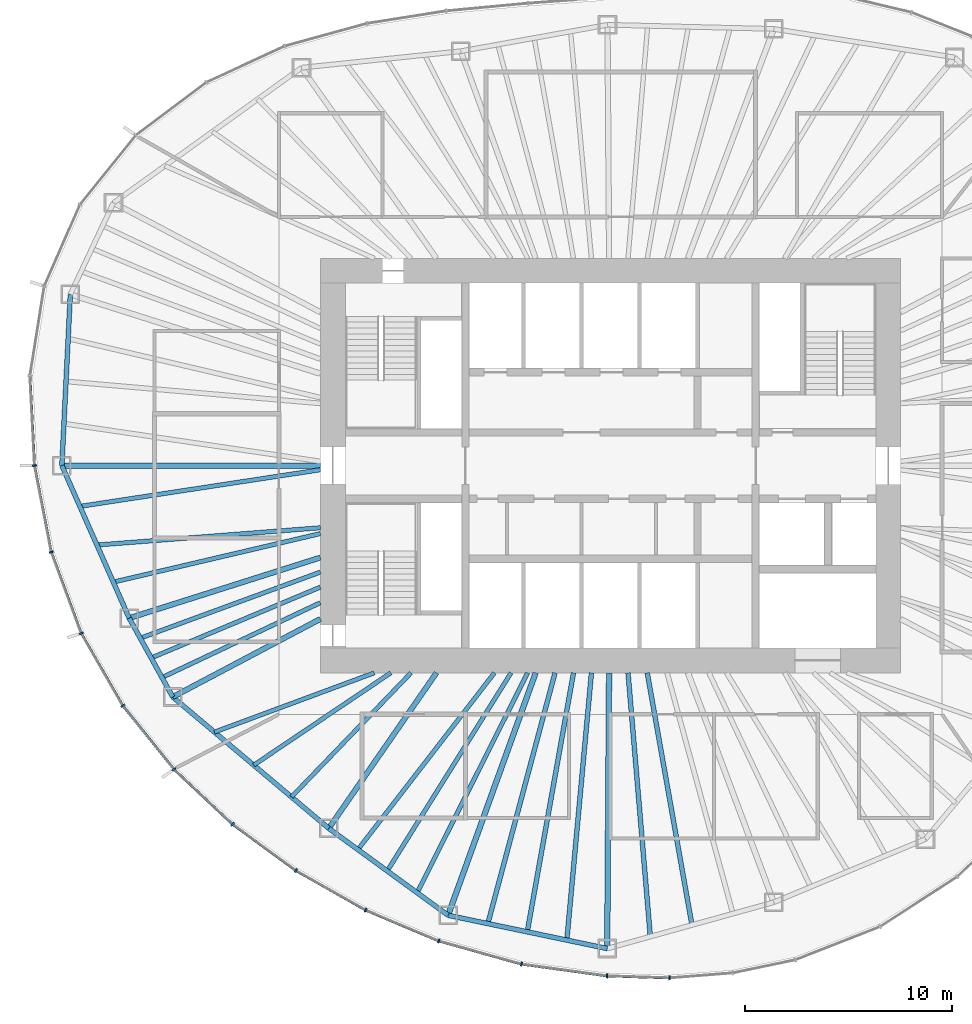
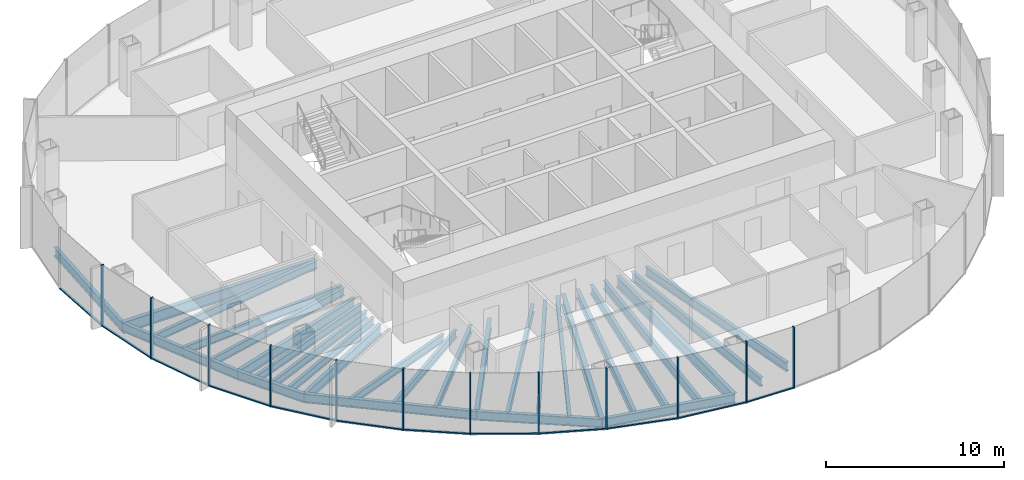
# One storey, part 2 of 11: 29 beams, 24 members, 7 elements without a shape of their own.
"""IFC4 building model written with IfcOpenShell, lengths in metres."""

import ifcopenshell
import ifcopenshell.guid

model = None  # the IFC model being written
_history = None  # IfcOwnerHistory: only IFC2X3 demands one
_inside = {}  # id of a spatial element -> (the spatial element, [elements in it])
_under = {}  # id of a project, library or spatial element -> (it, [spatial elements below it])
_declared = {}  # id of a project -> (the project, [libraries it declares])
_typed = {}  # id of a type object -> (the type object, [elements of that type])
_made_of = {}  # id of a material, layer set ... -> (it, [elements and type objects made of it])


def new_model(schema):
    """Start an empty IFC model of exactly this schema.

    Asked for "IFC4X3", IfcOpenShell would pick the latest addendum, in which some entities
    have other attributes; the version numbers below select the first issue.
    IFC2X3 requires an IfcOwnerHistory on every rooted entity: one is made here for all.
    """
    global model, _history
    if schema == "IFC4X3":
        model = ifcopenshell.file(schema_version=(4, 3, 0, 0))
    else:
        model = ifcopenshell.file(schema=schema)
    _inside.clear()
    _under.clear()
    _declared.clear()
    _typed.clear()
    _made_of.clear()
    _history = None
    if model.schema == "IFC2X3":
        org = make("IfcOrganization", Name="unknown")
        user = make(
            "IfcPersonAndOrganization",
            ThePerson=make("IfcPerson", FamilyName="unknown"),
            TheOrganization=org,
        )
        app = make(
            "IfcApplication",
            ApplicationDeveloper=org,
            Version="unknown",
            ApplicationFullName="unknown",
            ApplicationIdentifier="unknown",
        )
        _history = make(
            "IfcOwnerHistory",
            OwningUser=user,
            OwningApplication=app,
            ChangeAction="ADDED",
            CreationDate=0,
        )
    return model


def make(cls, **values):
    """One entity of the class cls with the attributes given. An attribute that is None is left unset."""
    return model.create_entity(
        cls, **{name: value for name, value in values.items() if value is not None}
    )


def rooted(cls, **values):
    """An entity with a GlobalId (a new one), such as an element, a storey or a relation."""
    return make(cls, GlobalId=ifcopenshell.guid.new(), OwnerHistory=_history, **values)


def si_unit(unit_type, name, prefix=None):
    """IfcSIUnit, for example si_unit("LENGTHUNIT", "METRE", prefix="MILLI")."""
    return make("IfcSIUnit", UnitType=unit_type, Prefix=prefix, Name=name)


def assignment(units):
    """IfcUnitAssignment: the units of a project."""
    return None if units is None else make("IfcUnitAssignment", Units=units)


def point(xyz):
    """IfcCartesianPoint."""
    return None if xyz is None else make("IfcCartesianPoint", Coordinates=xyz)


def direction(xyz):
    """IfcDirection."""
    return None if xyz is None else make("IfcDirection", DirectionRatios=xyz)


def frame(location, z_axis=None, x_axis=None):
    """IfcAxis2Placement3D, a coordinate frame: its origin and axes. An axis left out is left unset."""
    return make(
        "IfcAxis2Placement3D",
        Location=point(location),
        Axis=direction(z_axis),
        RefDirection=direction(x_axis),
    )


def frame_2d(location, x_axis=None):
    """IfcAxis2Placement2D, a coordinate frame in the plane: its origin and x axis."""
    return make(
        "IfcAxis2Placement2D", Location=point(location), RefDirection=direction(x_axis)
    )


def origin():
    """The frame at (0, 0, 0) with its axes left unset."""
    return frame((0.0, 0.0, 0.0))


def origin_2d():
    """The frame at (0, 0) in the plane with its x axis left unset."""
    return frame_2d((0.0, 0.0))


def place(relative_to, where):
    """IfcLocalPlacement: puts the frame where relative to a parent placement (None: the world)."""
    return make(
        "IfcLocalPlacement", PlacementRelTo=relative_to, RelativePlacement=where
    )


def context(
    kind, dimensions, precision=None, world=None, true_north=None, identifier=None
):
    """IfcGeometricRepresentationContext, for example the 3D "Model" context."""
    return make(
        "IfcGeometricRepresentationContext",
        ContextIdentifier=identifier,
        ContextType=kind,
        CoordinateSpaceDimension=dimensions,
        Precision=precision,
        WorldCoordinateSystem=world,
        TrueNorth=true_north,
    )


def subcontext(parent, identifier, kind, view, scale=None):
    """IfcGeometricRepresentationSubContext, for example "Body" below "Model"."""
    return make(
        "IfcGeometricRepresentationSubContext",
        ContextIdentifier=identifier,
        ContextType=kind,
        ParentContext=parent,
        TargetScale=scale,
        TargetView=view,
    )


def project(units=None, contexts=None):
    """IfcProject with its units and contexts."""
    return rooted(
        "IfcProject",
        Name="project",
        RepresentationContexts=contexts,
        UnitsInContext=assignment(units),
    )


def spatial(cls, under=None, at=None, **own):
    """A site, building, storey or space (cls), placed at a placement, below another one or the project."""
    s = rooted(cls, ObjectPlacement=at, **own)
    if under is not None:
        _under.setdefault(under.id(), (under, []))[1].append(s)
    return s


def profile(cls, at=None, kind="AREA", **sizes):
    """A parametric profile (cls). Its sizes go by their IFC names, for example OverallWidth=200.0."""
    return make(cls, ProfileType=kind, Position=at, **sizes)


def rectangle(**sizes):
    """IfcRectangleProfileDef."""
    return profile("IfcRectangleProfileDef", **sizes)


def i_section(**sizes):
    """IfcIShapeProfileDef."""
    return profile("IfcIShapeProfileDef", **sizes)


def extrude(swept, where, along, depth):
    """IfcExtrudedAreaSolid: the profile swept, set in the frame where, extruded along a direction by depth."""
    return make(
        "IfcExtrudedAreaSolid",
        SweptArea=swept,
        Position=where,
        ExtrudedDirection=direction(along),
        Depth=depth,
    )


def shape(context_of_items, identifier, shape_type, items):
    """IfcShapeRepresentation: the items that make up one representation, for example the "Body"."""
    return make(
        "IfcShapeRepresentation",
        ContextOfItems=context_of_items,
        RepresentationIdentifier=identifier,
        RepresentationType=shape_type,
        Items=items,
    )


def material(Name=None, Category=None):
    """IfcMaterial."""
    return make("IfcMaterial", Name=Name, Category=Category)


def material_profile(
    of_material, cross_section, Name=None, Category=None, Priority=None
):
    """IfcMaterialProfile: a cross section and its material."""
    return make(
        "IfcMaterialProfile",
        Name=Name,
        Material=of_material,
        Profile=cross_section,
        Priority=Priority,
        Category=Category,
    )


def profile_set(profiles, Name=None, composite=None):
    """IfcMaterialProfileSet."""
    return make(
        "IfcMaterialProfileSet",
        Name=Name,
        MaterialProfiles=profiles,
        CompositeProfile=composite,
    )


def made_of(thing, what):
    """Note that an element or type object is made of a material, layer set ...; save() writes the relation."""
    if what is not None:
        _made_of.setdefault(what.id(), (what, []))[1].append(thing)
    return thing


def type_object(cls, material=None, **own):
    """A type object (cls), such as IfcWallType, which elements share."""
    return made_of(rooted(cls, **own), material)


def element(
    cls,
    number,
    at=None,
    inside=None,
    cuts=None,
    type_object=None,
    material=None,
    context=None,
    identifier="Body",
    shape_type=None,
    held_by="IfcProductDefinitionShape",
    body=None,
    shapes=None,
    **own,
):
    """One element of the class cls, such as IfcWall. Its Tag is "e" and its number.

    at: its placement. inside: the storey or other place that contains it. cuts: it is an
    opening in that element (IfcRelVoidsElement). A single representation is given by context,
    identifier, shape_type and body (its items); several are given by shapes. held_by: the class
    of the entity that holds the representations. save() writes the other relations.
    """
    e = rooted(cls, Tag="e%d" % number, ObjectPlacement=at, **own)
    if body is not None:
        shapes = [shape(context, identifier, shape_type, body)]
    if shapes is not None:
        e.Representation = make(held_by, Representations=shapes)
    if inside is not None:
        _inside.setdefault(inside.id(), (inside, []))[1].append(e)
    if cuts is not None:
        rooted(
            "IfcRelVoidsElement", RelatingBuildingElement=cuts, RelatedOpeningElement=e
        )
    if type_object is not None:
        _typed.setdefault(type_object.id(), (type_object, []))[1].append(e)
    return made_of(e, material)


def aggregate(whole, parts):
    """IfcRelAggregates: a whole, such as a stair, and the parts it consists of."""
    return rooted("IfcRelAggregates", RelatingObject=whole, RelatedObjects=parts)


def save(model, path):
    """Write the relations noted so far, then the file.

    IfcRelAggregates (storeys below a building ...), IfcRelContainedInSpatialStructure (elements
    in a storey), IfcRelDefinesByType, IfcRelAssociatesMaterial and IfcRelDeclares: one each for
    every whole, place, type object, material and project.
    """
    for whole, parts in _under.values():
        aggregate(whole, parts)
    for where, things in _inside.values():
        rooted(
            "IfcRelContainedInSpatialStructure",
            RelatedElements=things,
            RelatingStructure=where,
        )
    for kind, things in _typed.values():
        rooted("IfcRelDefinesByType", RelatedObjects=things, RelatingType=kind)
    for what, things in _made_of.values():
        rooted("IfcRelAssociatesMaterial", RelatedObjects=things, RelatingMaterial=what)
    for by, libraries in _declared.values():
        rooted("IfcRelDeclares", RelatingContext=by, RelatedDefinitions=libraries)
    model.write(path)


model = new_model("IFC4")

# Units and contexts
model_context = context("Model", 3, precision=1e-05, world=origin(), true_north=direction((0.0, 1.0)))
body_context = subcontext(model_context, "Body", "Model", "MODEL_VIEW")
ifc_project = project(units=[si_unit("LENGTHUNIT", "METRE"), si_unit("AREAUNIT", "SQUARE_METRE"), si_unit("VOLUMEUNIT", "CUBIC_METRE"), si_unit("PLANEANGLEUNIT", "RADIAN"), si_unit("MASSUNIT", "GRAM", prefix="KILO")], contexts=[model_context])

# Site, building, storey
site_placement = place(None, origin())
site = spatial("IfcSite", under=ifc_project, at=site_placement, CompositionType="ELEMENT")
building_placement = place(site_placement, origin())
building = spatial("IfcBuilding", under=site, at=building_placement, Name="Ghaith Harvest Tower", CompositionType="ELEMENT")
storey_placement = place(building_placement, frame((0.0, 0.0, 262.0)))
storey = spatial("IfcBuildingStorey", under=building, at=storey_placement, Name="L58", CompositionType="ELEMENT", Elevation=262.0)

# Curtain wall, members
ifc_material_1 = material(Name="Black anodised aluminium and fritted glass", Category="aluminium")
curtain_wall_type = type_object("IfcCurtainWallType", Name="CW-H CURTAIN WALL", PredefinedType="NOTDEFINED", material=ifc_material_1)
curtain_wall_1_placement = place(storey_placement, origin())
curtain_wall_1 = element("IfcCurtainWall", 1, at=curtain_wall_1_placement, inside=storey, type_object=curtain_wall_type, Name="Curtain wall CW-H bay 11 L58", PredefinedType="NOTDEFINED")
ifc_material_2 = material(Name="Aluminium, black anodised", Category="aluminium")
ifc_material_profile_1 = material_profile(ifc_material_2, rectangle(XDim=0.080078125, YDim=0.199951171875, at=origin_2d()), Name="CW-H MULLION 80x200")
ifc_profile_set_1 = profile_set([ifc_material_profile_1], Name="Aluminium, black anodised")
member_type_1 = type_object("IfcMemberType", Name="CW-H MULLION 80x200", PredefinedType="MULLION", material=ifc_profile_set_1)
member_1_placement = place(storey_placement, frame((-27.794921875, 0.0, 0.0), z_axis=(0.0, 0.0, 1.0), x_axis=(0.12024996575, -0.992743645528, 0.0)))
member_1 = element("IfcMember", 2, at=member_1_placement, type_object=member_type_1, Name="CW-H mullion 1 bay 11 L58", PredefinedType="MULLION", context=body_context, shape_type="SweptSolid", body=[
    extrude(rectangle(XDim=0.080078125, YDim=0.199951171875, at=origin_2d()), origin(), (0.0, 0.0, 1.0), 4.199951171875),
])
member_2_placement = place(storey_placement, frame((-26.9853515625, -4.173828125, 0.0), z_axis=(0.0, 0.0, 1.0), x_axis=(0.268568830903, -0.963260495955, 0.0)))
member_2 = element("IfcMember", 3, at=member_2_placement, type_object=member_type_1, Name="CW-H mullion 2 bay 11 L58", PredefinedType="MULLION", context=body_context, shape_type="SweptSolid", body=[
    extrude(rectangle(XDim=0.080078125, YDim=0.199951171875, at=origin_2d()), origin(), (0.0, 0.0, 1.0), 4.199951171875),
])

curtain_wall_2_placement = place(storey_placement, origin())
curtain_wall_2 = element("IfcCurtainWall", 4, at=curtain_wall_2_placement, inside=storey, type_object=curtain_wall_type, Name="Curtain wall CW-H bay 12 L58", PredefinedType="NOTDEFINED")
member_3_placement = place(storey_placement, frame((-25.538330078125, -8.093505859375, 0.0), z_axis=(0.0, 0.0, 1.0), x_axis=(0.422308650185, -0.906452096903, 0.0)))
member_3 = element("IfcMember", 5, at=member_3_placement, type_object=member_type_1, Name="CW-H mullion 1 bay 12 L58", PredefinedType="MULLION", context=body_context, shape_type="SweptSolid", body=[
    extrude(rectangle(XDim=0.080078125, YDim=0.199951171875, at=origin_2d()), origin(), (0.0, 0.0, 1.0), 4.199951171875),
])
member_4_placement = place(storey_placement, frame((-23.533203125, -11.58349609375, 0.0), z_axis=(0.0, 0.0, 1.0), x_axis=(0.563616546013, -0.826036554312, 0.0)))
member_4 = element("IfcMember", 6, at=member_4_placement, type_object=member_type_1, Name="CW-H mullion 2 bay 12 L58", PredefinedType="MULLION", context=body_context, shape_type="SweptSolid", body=[
    extrude(rectangle(XDim=0.080078125, YDim=0.199951171875, at=origin_2d()), origin(), (0.0, 0.0, 1.0), 4.199951171875),
])

curtain_wall_3_placement = place(storey_placement, origin())
curtain_wall_3 = element("IfcCurtainWall", 7, at=curtain_wall_3_placement, inside=storey, type_object=curtain_wall_type, Name="Curtain wall CW-H bay 13 L58", PredefinedType="NOTDEFINED")
member_5_placement = place(storey_placement, frame((-21.0615234375, -14.65478515625, 0.0), z_axis=(0.0, 0.0, 1.0), x_axis=(0.679181589754, -0.733970277422, 0.0)))
member_5 = element("IfcMember", 8, at=member_5_placement, type_object=member_type_1, Name="CW-H mullion 1 bay 13 L58", PredefinedType="MULLION", context=body_context, shape_type="SweptSolid", body=[
    extrude(rectangle(XDim=0.080078125, YDim=0.199951171875, at=origin_2d()), origin(), (0.0, 0.0, 1.0), 4.199951171875),
])
member_6_placement = place(storey_placement, frame((-18.238037109375, -17.30615234375, 0.0), z_axis=(0.0, 0.0, 1.0), x_axis=(0.769216709506, -0.638987991919, 0.0)))
member_6 = element("IfcMember", 9, at=member_6_placement, type_object=member_type_1, Name="CW-H mullion 2 bay 13 L58", PredefinedType="MULLION", context=body_context, shape_type="SweptSolid", body=[
    extrude(rectangle(XDim=0.080078125, YDim=0.199951171875, at=origin_2d()), origin(), (0.0, 0.0, 1.0), 4.199951171875),
])

curtain_wall_4_placement = place(storey_placement, origin())
curtain_wall_4 = element("IfcCurtainWall", 10, at=curtain_wall_4_placement, inside=storey, type_object=curtain_wall_type, Name="Curtain wall CW-H bay 14 L58", PredefinedType="NOTDEFINED")
member_7_placement = place(storey_placement, frame((-15.177490234375, -19.542724609375, 0.0), z_axis=(0.0, 0.0, 1.0), x_axis=(0.840233591157, -0.5422245958, 0.0)))
member_7 = element("IfcMember", 11, at=member_7_placement, type_object=member_type_1, Name="CW-H mullion 1 bay 14 L58", PredefinedType="MULLION", context=body_context, shape_type="SweptSolid", body=[
    extrude(rectangle(XDim=0.080078125, YDim=0.199951171875, at=origin_2d()), origin(), (0.0, 0.0, 1.0), 4.199951171875),
])
member_8_placement = place(storey_placement, frame((-11.815185546875, -21.45068359375, 0.0), z_axis=(0.0, 0.0, 1.0), x_axis=(0.896852966189, -0.442328788389, 0.0)))
member_8 = element("IfcMember", 12, at=member_8_placement, type_object=member_type_1, Name="CW-H mullion 2 bay 14 L58", PredefinedType="MULLION", context=body_context, shape_type="SweptSolid", body=[
    extrude(rectangle(XDim=0.080078125, YDim=0.199951171875, at=origin_2d()), origin(), (0.0, 0.0, 1.0), 4.199951171875),
])

curtain_wall_5_placement = place(storey_placement, origin())
curtain_wall_5 = element("IfcCurtainWall", 13, at=curtain_wall_5_placement, inside=storey, type_object=curtain_wall_type, Name="Curtain wall CW-H bay 15 L58", PredefinedType="NOTDEFINED")
member_9_placement = place(storey_placement, frame((-8.285888671875, -22.941650390625, 0.0), z_axis=(0.0, 0.0, 1.0), x_axis=(0.944906041636, -0.327341675439, 0.0)))
member_9 = element("IfcMember", 14, at=member_9_placement, type_object=member_type_1, Name="CW-H mullion 1 bay 15 L58", PredefinedType="MULLION", context=body_context, shape_type="SweptSolid", body=[
    extrude(rectangle(XDim=0.080078125, YDim=0.199951171875, at=origin_2d()), origin(), (0.0, 0.0, 1.0), 4.199951171875),
])
member_10_placement = place(storey_placement, frame((-4.2958984375, -24.0556640625, 0.0), z_axis=(0.0, 0.0, 1.0), x_axis=(0.979161388311, -0.203083666601, 0.0)))
member_10 = element("IfcMember", 15, at=member_10_placement, type_object=member_type_1, Name="CW-H mullion 2 bay 15 L58", PredefinedType="MULLION", context=body_context, shape_type="SweptSolid", body=[
    extrude(rectangle(XDim=0.080078125, YDim=0.199951171875, at=origin_2d()), origin(), (0.0, 0.0, 1.0), 4.199951171875),
])

curtain_wall_6_placement = place(storey_placement, origin())
curtain_wall_6 = element("IfcCurtainWall", 16, at=curtain_wall_6_placement, inside=storey, type_object=curtain_wall_type, Name="Curtain wall CW-H bay 16 L58", PredefinedType="NOTDEFINED")
member_11_placement = place(storey_placement, frame((-0.16845703125, -24.625244140625, 0.0), z_axis=(0.0, 0.0, 1.0), x_axis=(0.99568459113, -0.092801912617, 0.0)))
member_11 = element("IfcMember", 17, at=member_11_placement, type_object=member_type_1, Name="CW-H mullion 1 bay 16 L58", PredefinedType="MULLION", context=body_context, shape_type="SweptSolid", body=[
    extrude(rectangle(XDim=0.080078125, YDim=0.199951171875, at=origin_2d()), origin(), (0.0, 0.0, 1.0), 4.199951171875),
])
member_12_placement = place(storey_placement, frame((2.84765625, -24.721435546875, 0.0), z_axis=(0.0, 0.0, 1.0), x_axis=(0.999724413906, 0.02347543907, 0.0)))
member_12 = element("IfcMember", 18, at=member_12_placement, type_object=member_type_1, Name="CW-H mullion 2 bay 16 L58", PredefinedType="MULLION", context=body_context, shape_type="SweptSolid", body=[
    extrude(rectangle(XDim=0.080078125, YDim=0.199951171875, at=origin_2d()), origin(), (0.0, 0.0, 1.0), 4.199951171875),
])

# Curtain wall, member
curtain_wall_7_placement = place(storey_placement, origin())
curtain_wall_7 = element("IfcCurtainWall", 19, at=curtain_wall_7_placement, inside=storey, type_object=curtain_wall_type, Name="Curtain wall CW-H bay 10 L58", PredefinedType="NOTDEFINED")
ifc_material_3 = material(Name="Aluminium, black anodised", Category="aluminium")
ifc_material_profile_2 = material_profile(ifc_material_3, rectangle(XDim=0.1298828125, YDim=0.080078125, at=origin_2d()), Name="CW-H TRANSOM 130x80")
ifc_profile_set_2 = profile_set([ifc_material_profile_2], Name="Aluminium, black anodised")
member_type_2 = type_object("IfcMemberType", Name="CW-H TRANSOM 130x80", PredefinedType="USERDEFINED", material=ifc_profile_set_2)
member_13_placement = place(storey_placement, frame((-28.013671875, 4.293212890625, 0.0400390625), z_axis=(0.05084969311, -0.998706317548, 0.0), x_axis=(0.998706317548, 0.05084969311, 0.0)))
member_13 = element("IfcMember", 20, at=member_13_placement, type_object=member_type_2, Name="CW-H transom 2 bay 10 L58", ObjectType="TRANSOM", PredefinedType="USERDEFINED", context=body_context, shape_type="SweptSolid", body=[
    extrude(rectangle(XDim=0.1298828125, YDim=0.080078125, at=origin_2d()), origin(), (0.0, 0.0, 1.0), 4.2587890625),
])
aggregate(curtain_wall_7, [member_13])

# Member
member_14_placement = place(storey_placement, frame((-27.787353515625, -0.039306640625, 0.0400390625), z_axis=(0.190440428338, -0.981698753821, 0.0), x_axis=(0.981698753821, 0.190440428338, 0.0)))
member_14 = element("IfcMember", 21, at=member_14_placement, type_object=member_type_2, Name="CW-H transom 1 bay 11 L58", ObjectType="TRANSOM", PredefinedType="USERDEFINED", context=body_context, shape_type="SweptSolid", body=[
    extrude(rectangle(XDim=0.1298828125, YDim=0.080078125, at=origin_2d()), origin(), (0.0, 0.0, 1.0), 4.171630859375),
])

member_15_placement = place(storey_placement, frame((-26.971435546875, -4.21142578125, 0.0400390625), z_axis=(0.346287782987, -0.93812833416, 0.0), x_axis=(0.93812833416, 0.346287782987, 0.0)))
member_15 = element("IfcMember", 22, at=member_15_placement, type_object=member_type_2, Name="CW-H transom 2 bay 11 L58", ObjectType="TRANSOM", PredefinedType="USERDEFINED", context=body_context, shape_type="SweptSolid", body=[
    extrude(rectangle(XDim=0.1298828125, YDim=0.080078125, at=origin_2d()), origin(), (0.0, 0.0, 1.0), 4.098388671875),
])

aggregate(curtain_wall_1, [member_1, member_14, member_2, member_15])

member_16_placement = place(storey_placement, frame((-25.5185546875, -8.128173828125, 0.0400390625), z_axis=(0.498176929488, -0.86707539864, 0.0), x_axis=(0.86707539864, 0.498176929488, 0.0)))
member_16 = element("IfcMember", 23, at=member_16_placement, type_object=member_type_2, Name="CW-H transom 1 bay 12 L58", ObjectType="TRANSOM", PredefinedType="USERDEFINED", context=body_context, shape_type="SweptSolid", body=[
    extrude(rectangle(XDim=0.1298828125, YDim=0.080078125, at=origin_2d()), origin(), (0.0, 0.0, 1.0), 3.945068359375),
])

member_17_placement = place(storey_placement, frame((-23.508056640625, -11.61474609375, 0.0400390625), z_axis=(0.626958878139, -0.779052350694, 0.0), x_axis=(0.779052350694, 0.626958878139, 0.0)))
member_17 = element("IfcMember", 24, at=member_17_placement, type_object=member_type_2, Name="CW-H transom 2 bay 12 L58", ObjectType="TRANSOM", PredefinedType="USERDEFINED", context=body_context, shape_type="SweptSolid", body=[
    extrude(rectangle(XDim=0.1298828125, YDim=0.080078125, at=origin_2d()), origin(), (0.0, 0.0, 1.0), 3.862060546875),
])

aggregate(curtain_wall_2, [member_3, member_16, member_4, member_17])

member_18_placement = place(storey_placement, frame((-21.032470703125, -14.68212890625, 0.0400390625), z_axis=(0.729025183709, -0.684486874613, 0.0), x_axis=(0.684486874613, 0.729025183709, 0.0)))
member_18 = element("IfcMember", 25, at=member_18_placement, type_object=member_type_2, Name="CW-H transom 1 bay 13 L58", ObjectType="TRANSOM", PredefinedType="USERDEFINED", context=body_context, shape_type="SweptSolid", body=[
    extrude(rectangle(XDim=0.1298828125, YDim=0.080078125, at=origin_2d()), origin(), (0.0, 0.0, 1.0), 3.793212890625),
])

member_19_placement = place(storey_placement, frame((-18.20556640625, -17.32958984375, 0.0400390625), z_axis=(0.807368217185, -0.590047931849, 0.0), x_axis=(0.590047931849, 0.807368217185, 0.0)))
member_19 = element("IfcMember", 26, at=member_19_placement, type_object=member_type_2, Name="CW-H transom 2 bay 13 L58", ObjectType="TRANSOM", PredefinedType="USERDEFINED", context=body_context, shape_type="SweptSolid", body=[
    extrude(rectangle(XDim=0.1298828125, YDim=0.080078125, at=origin_2d()), origin(), (0.0, 0.0, 1.0), 3.710693359375),
])

aggregate(curtain_wall_3, [member_5, member_18, member_6, member_19])

member_20_placement = place(storey_placement, frame((-15.142822265625, -19.5625, 0.0400390625), z_axis=(0.869735291487, -0.493518513068, 0.0), x_axis=(0.493518513068, 0.869735291487, 0.0)))
member_20 = element("IfcMember", 27, at=member_20_placement, type_object=member_type_2, Name="CW-H transom 1 bay 14 L58", ObjectType="TRANSOM", PredefinedType="USERDEFINED", context=body_context, shape_type="SweptSolid", body=[
    extrude(rectangle(XDim=0.1298828125, YDim=0.080078125, at=origin_2d()), origin(), (0.0, 0.0, 1.0), 3.785888671875),
])

member_21_placement = place(storey_placement, frame((-11.7783203125, -21.46630859375, 0.0400390625), z_axis=(0.921182691948, -0.38913037411, 0.0), x_axis=(0.38913037411, 0.921182691948, 0.0)))
member_21 = element("IfcMember", 28, at=member_21_placement, type_object=member_type_2, Name="CW-H transom 2 bay 14 L58", ObjectType="TRANSOM", PredefinedType="USERDEFINED", context=body_context, shape_type="SweptSolid", body=[
    extrude(rectangle(XDim=0.1298828125, YDim=0.080078125, at=origin_2d()), origin(), (0.0, 0.0, 1.0), 3.751220703125),
])

aggregate(curtain_wall_4, [member_7, member_20, member_8, member_21])

member_22_placement = place(storey_placement, frame((-8.24755859375, -22.952392578125, 0.0400390625), z_axis=(0.963164092269, -0.268914356932, 0.0), x_axis=(0.268914356932, 0.963164092269, 0.0)))
member_22 = element("IfcMember", 29, at=member_22_placement, type_object=member_type_2, Name="CW-H transom 1 bay 15 L58", ObjectType="TRANSOM", PredefinedType="USERDEFINED", context=body_context, shape_type="SweptSolid", body=[
    extrude(rectangle(XDim=0.1298828125, YDim=0.080078125, at=origin_2d()), origin(), (0.0, 0.0, 1.0), 4.062744140625),
])

member_23_placement = place(storey_placement, frame((-4.25634765625, -24.06103515625, 0.0400390625), z_axis=(0.990605228149, -0.136752630555, 0.0), x_axis=(0.136752630555, 0.990605228149, 0.0)))
member_23 = element("IfcMember", 30, at=member_23_placement, type_object=member_type_2, Name="CW-H transom 2 bay 15 L58", ObjectType="TRANSOM", PredefinedType="USERDEFINED", context=body_context, shape_type="SweptSolid", body=[
    extrude(rectangle(XDim=0.1298828125, YDim=0.080078125, at=origin_2d()), origin(), (0.0, 0.0, 1.0), 4.08642578125),
])

aggregate(curtain_wall_5, [member_9, member_22, member_10, member_23])

member_24_placement = place(storey_placement, frame((-0.128662109375, -24.62646484375, 0.0400390625), z_axis=(0.999490770233, -0.031909249731, 0.0), x_axis=(0.031909249731, 0.999490770233, 0.0)))
member_24 = element("IfcMember", 31, at=member_24_placement, type_object=member_type_2, Name="CW-H transom 1 bay 16 L58", ObjectType="TRANSOM", PredefinedType="USERDEFINED", context=body_context, shape_type="SweptSolid", body=[
    extrude(rectangle(XDim=0.1298828125, YDim=0.080078125, at=origin_2d()), origin(), (0.0, 0.0, 1.0), 2.93798828125),
])

aggregate(curtain_wall_6, [member_11, member_24, member_12])

# Beams
ifc_material_4 = material(Name="Steel ASTM A992 Grade 50", Category="steel")
ifc_material_profile_3 = material_profile(ifc_material_4, i_section(OverallWidth=0.22900390625, OverallDepth=0.612060546875, WebThickness=0.011962890625, FlangeThickness=0.01953125, at=origin_2d()), Name="W610X125")
ifc_profile_set_3 = profile_set([ifc_material_profile_3], Name="Steel ASTM A992 Grade 50")
beam_type_1 = type_object("IfcBeamType", Name="E610-125 W610X125", PredefinedType="SPANDREL", material=ifc_profile_set_3)
beam_1_placement = place(storey_placement, frame((-26.06689453125, 8.260986328125, -0.47607421875), z_axis=(-0.049353148492, -0.998781390863, 0.0), x_axis=(0.998781390863, -0.049353148492, 0.0)))
element("IfcBeam", 32, at=beam_1_placement, inside=storey, type_object=beam_type_1, Name="Edge beam E10 L58", PredefinedType="SPANDREL", context=body_context, shape_type="SweptSolid", body=[
    extrude(i_section(OverallWidth=0.22900390625, OverallDepth=0.612060546875, WebThickness=0.011962890625, FlangeThickness=0.01953125, at=origin_2d()), origin(), (0.0, 0.0, 1.0), 8.27099609375),
])
beam_2_placement = place(storey_placement, frame((-26.47509765625, 0.0, -0.47607421875), z_axis=(0.404042817399, -0.914740073304, 0.0), x_axis=(0.914740073304, 0.404042817399, 0.0)))
element("IfcBeam", 33, at=beam_2_placement, inside=storey, type_object=beam_type_1, Name="Edge beam E11 L58", PredefinedType="SPANDREL", context=body_context, shape_type="SweptSolid", body=[
    extrude(i_section(OverallWidth=0.22900390625, OverallDepth=0.612060546875, WebThickness=0.011962890625, FlangeThickness=0.01953125, at=origin_2d()), origin(), (0.0, 0.0, 1.0), 8.046142578125),
])
beam_3_placement = place(storey_placement, frame((-23.22412109375, -7.360107421875, -0.47607421875), z_axis=(0.482955575345, -0.875644855089, 0.0), x_axis=(0.875644855089, 0.482955575345, 0.0)))
element("IfcBeam", 34, at=beam_3_placement, inside=storey, type_object=beam_type_1, Name="Edge beam E12 L58", PredefinedType="SPANDREL", context=body_context, shape_type="SweptSolid", body=[
    extrude(i_section(OverallWidth=0.22900390625, OverallDepth=0.612060546875, WebThickness=0.011962890625, FlangeThickness=0.01953125, at=origin_2d()), origin(), (0.0, 0.0, 1.0), 4.346435546875),
])
beam_4_placement = place(storey_placement, frame((-21.125, -11.166015625, -0.47607421875), z_axis=(0.765021818761, -0.64400436087, 0.0), x_axis=(0.64400436087, 0.765021818761, 0.0)))
element("IfcBeam", 35, at=beam_4_placement, inside=storey, type_object=beam_type_1, Name="Edge beam E13 L58", PredefinedType="SPANDREL", context=body_context, shape_type="SweptSolid", body=[
    extrude(i_section(OverallWidth=0.22900390625, OverallDepth=0.612060546875, WebThickness=0.011962890625, FlangeThickness=0.01953125, at=origin_2d()), origin(), (0.0, 0.0, 1.0), 9.8427734375),
])
beam_5_placement = place(storey_placement, frame((-13.594970703125, -17.5048828125, -0.47607421875), z_axis=(0.808194782503, -0.588915268553, 0.0), x_axis=(0.588915268553, 0.808194782503, 0.0)))
element("IfcBeam", 36, at=beam_5_placement, inside=storey, type_object=beam_type_1, Name="Edge beam E14 L58", PredefinedType="SPANDREL", context=body_context, shape_type="SweptSolid", body=[
    extrude(i_section(OverallWidth=0.22900390625, OverallDepth=0.612060546875, WebThickness=0.011962890625, FlangeThickness=0.01953125, at=origin_2d()), origin(), (0.0, 0.0, 1.0), 7.123291015625),
])
beam_6_placement = place(storey_placement, frame((-7.837890625, -21.699951171875, -0.47607421875), z_axis=(0.978847910797, -0.20458926543, 0.0), x_axis=(0.20458926543, 0.978847910797, 0.0)))
element("IfcBeam", 37, at=beam_6_placement, inside=storey, type_object=beam_type_1, Name="Edge beam E15 L58", PredefinedType="SPANDREL", context=body_context, shape_type="SweptSolid", body=[
    extrude(i_section(OverallWidth=0.22900390625, OverallDepth=0.612060546875, WebThickness=0.011962890625, FlangeThickness=0.01953125, at=origin_2d()), origin(), (0.0, 0.0, 1.0), 7.844970703125),
])
ifc_material_5 = material(Name="Steel ASTM A992 Grade 50", Category="steel")
ifc_material_profile_4 = material_profile(ifc_material_5, i_section(OverallWidth=0.256103515625, OverallDepth=0.693115234375, WebThickness=0.014404296875, FlangeThickness=0.023681640625, at=origin_2d()), Name="W690X170")
ifc_profile_set_4 = profile_set([ifc_material_profile_4], Name="Steel ASTM A992 Grade 50")
beam_type_2 = type_object("IfcBeamType", Name="G690-170 W690X170", PredefinedType="BEAM", material=ifc_profile_set_4)
beam_7_placement = place(storey_placement, frame((-14.0, -4.43701171875, -0.5166015625), z_axis=(-0.953279028151, -0.302091202267, 0.0), x_axis=(0.302091202267, -0.953279028151, 0.0)))
element("IfcBeam", 38, at=beam_7_placement, inside=storey, type_object=beam_type_2, Name="Radial girder G12 L58", PredefinedType="BEAM", context=body_context, shape_type="SweptSolid", body=[
    extrude(i_section(OverallWidth=0.256103515625, OverallDepth=0.693115234375, WebThickness=0.014404296875, FlangeThickness=0.023681640625, at=origin_2d()), origin(), (0.0, 0.0, 1.0), 9.67626953125),
])
beam_8_placement = place(storey_placement, frame((-14.0, -7.39990234375, -0.5166015625), z_axis=(-0.88409279474, -0.46731138472, 0.0), x_axis=(0.46731138472, -0.88409279474, 0.0)))
element("IfcBeam", 39, at=beam_8_placement, inside=storey, type_object=beam_type_2, Name="Radial girder G13 L58", PredefinedType="BEAM", context=body_context, shape_type="SweptSolid", body=[
    extrude(i_section(OverallWidth=0.256103515625, OverallDepth=0.693115234375, WebThickness=0.014404296875, FlangeThickness=0.023681640625, at=origin_2d()), origin(), (0.0, 0.0, 1.0), 8.05908203125),
])
beam_9_placement = place(storey_placement, frame((-8.39990234375, -10.0, -0.5166015625), z_axis=(-0.569164078909, -0.822223966617, 0.0), x_axis=(0.822223966617, -0.569164078909, 0.0)))
element("IfcBeam", 40, at=beam_9_placement, inside=storey, type_object=beam_type_2, Name="Radial girder G14 L58", PredefinedType="BEAM", context=body_context, shape_type="SweptSolid", body=[
    extrude(i_section(OverallWidth=0.256103515625, OverallDepth=0.693115234375, WebThickness=0.014404296875, FlangeThickness=0.023681640625, at=origin_2d()), origin(), (0.0, 0.0, 1.0), 9.12744140625),
])
ifc_material_6 = material(Name="Steel ASTM A992 Grade 50", Category="steel")
ifc_material_profile_5 = material_profile(ifc_material_6, i_section(OverallWidth=0.26806640625, OverallDepth=0.77001953125, WebThickness=0.015625, FlangeThickness=0.025390625, at=origin_2d()), Name="W760X196")
ifc_profile_set_5 = profile_set([ifc_material_profile_5], Name="Steel ASTM A992 Grade 50")
beam_type_3 = type_object("IfcBeamType", Name="G760-196 W760X196", PredefinedType="BEAM", material=ifc_profile_set_5)
beam_10_placement = place(storey_placement, frame((-14.0, 0.0, -0.554931640625), z_axis=(-1.0, 0.0, 0.0), x_axis=(0.0, -1.0, 0.0)))
element("IfcBeam", 41, at=beam_10_placement, inside=storey, type_object=beam_type_3, Name="Radial girder G11 L58", PredefinedType="BEAM", context=body_context, shape_type="SweptSolid", body=[
    extrude(i_section(OverallWidth=0.26806640625, OverallDepth=0.77001953125, WebThickness=0.015625, FlangeThickness=0.025390625, at=origin_2d()), origin(), (0.0, 0.0, 1.0), 12.47509765625),
])
beam_11_placement = place(storey_placement, frame((-3.61181640625, -10.0, -0.554931640625), z_axis=(-0.339722108335, -0.940525857756, 0.0), x_axis=(0.940525857756, -0.339722108335, 0.0)))
element("IfcBeam", 42, at=beam_11_placement, inside=storey, type_object=beam_type_3, Name="Radial girder G15 L58", PredefinedType="BEAM", context=body_context, shape_type="SweptSolid", body=[
    extrude(i_section(OverallWidth=0.26806640625, OverallDepth=0.77001953125, WebThickness=0.015625, FlangeThickness=0.025390625, at=origin_2d()), origin(), (0.0, 0.0, 1.0), 12.439697265625),
])
beam_12_placement = place(storey_placement, frame((-0.068359375, -10.0, -0.554931640625), z_axis=(-0.00680755644, -0.999976828319, 0.0), x_axis=(0.999976828319, -0.00680755644, 0.0)))
element("IfcBeam", 43, at=beam_12_placement, inside=storey, type_object=beam_type_3, Name="Radial girder G16 L58", PredefinedType="BEAM", context=body_context, shape_type="SweptSolid", body=[
    extrude(i_section(OverallWidth=0.26806640625, OverallDepth=0.77001953125, WebThickness=0.015625, FlangeThickness=0.025390625, at=origin_2d()), origin(), (0.0, 0.0, 1.0), 13.30517578125),
])
ifc_material_7 = material(Name="Steel ASTM A992 Grade 50", Category="steel")
ifc_material_profile_6 = material_profile(ifc_material_7, i_section(OverallWidth=0.2109375, OverallDepth=0.5390625, WebThickness=0.01171875, FlangeThickness=0.018798828125, at=origin_2d()), Name="W530X109")
ifc_profile_set_6 = profile_set([ifc_material_profile_6], Name="Steel ASTM A992 Grade 50")
beam_type_4 = type_object("IfcBeamType", Name="J530-109 W530X109", PredefinedType="JOIST", material=ifc_profile_set_6)
beam_13_placement = place(storey_placement, frame((-14.0, -0.199951171875, -0.439453125), z_axis=(-0.988587077715, -0.150650555178, 0.0), x_axis=(0.150650555178, -0.988587077715, 0.0)))
element("IfcBeam", 44, at=beam_13_placement, inside=storey, type_object=beam_type_4, Name="Joist J11.1 L58", PredefinedType="JOIST", context=body_context, shape_type="SweptSolid", body=[
    extrude(i_section(OverallWidth=0.2109375, OverallDepth=0.5390625, WebThickness=0.01171875, FlangeThickness=0.018798828125, at=origin_2d()), origin(), (0.0, 0.0, 1.0), 11.739501953125),
])
beam_14_placement = place(storey_placement, frame((-14.0, -3.0, -0.439453125), z_axis=(-0.997028799301, -0.077029691443, 0.0), x_axis=(0.077029691443, -0.997028799301, 0.0)))
element("IfcBeam", 45, at=beam_14_placement, inside=storey, type_object=beam_type_4, Name="Joist J11.2 L58", PredefinedType="JOIST", context=body_context, shape_type="SweptSolid", body=[
    extrude(i_section(OverallWidth=0.2109375, OverallDepth=0.5390625, WebThickness=0.01171875, FlangeThickness=0.018798828125, at=origin_2d()), origin(), (0.0, 0.0, 1.0), 10.814208984375),
])
beam_15_placement = place(storey_placement, frame((-14.0, -3.280517578125, -0.439453125), z_axis=(-0.97362176086, -0.22816806696, 0.0), x_axis=(0.22816806696, -0.97362176086, 0.0)))
element("IfcBeam", 46, at=beam_15_placement, inside=storey, type_object=beam_type_4, Name="Joist J11.3 L58", PredefinedType="JOIST", context=body_context, shape_type="SweptSolid", body=[
    extrude(i_section(OverallWidth=0.2109375, OverallDepth=0.5390625, WebThickness=0.01171875, FlangeThickness=0.018798828125, at=origin_2d()), origin(), (0.0, 0.0, 1.0), 10.262451171875),
])
beam_16_placement = place(storey_placement, frame((-5.60009765625, -10.0, -0.439453125), z_axis=(-0.611412687895, -0.791311901264, 0.0), x_axis=(0.791311901264, -0.611412687895, 0.0)))
element("IfcBeam", 47, at=beam_16_placement, inside=storey, type_object=beam_type_4, Name="Joist J14.1 L58", PredefinedType="JOIST", context=body_context, shape_type="SweptSolid", body=[
    extrude(i_section(OverallWidth=0.2109375, OverallDepth=0.5390625, WebThickness=0.01171875, FlangeThickness=0.018798828125, at=origin_2d()), origin(), (0.0, 0.0, 1.0), 10.778076171875),
])
beam_17_placement = place(storey_placement, frame((-4.800048828125, -10.0, -0.439453125), z_axis=(-0.529921073682, -0.848046965484, 0.0), x_axis=(0.848046965484, -0.529921073682, 0.0)))
element("IfcBeam", 48, at=beam_17_placement, inside=storey, type_object=beam_type_4, Name="Joist J14.2 L58", PredefinedType="JOIST", context=body_context, shape_type="SweptSolid", body=[
    extrude(i_section(OverallWidth=0.2109375, OverallDepth=0.5390625, WebThickness=0.01171875, FlangeThickness=0.018798828125, at=origin_2d()), origin(), (0.0, 0.0, 1.0), 11.273681640625),
])
beam_18_placement = place(storey_placement, frame((-4.0, -10.0, -0.439453125), z_axis=(-0.448791718068, -0.893636387908, 0.0), x_axis=(0.893636387908, -0.448791718068, 0.0)))
element("IfcBeam", 49, at=beam_18_placement, inside=storey, type_object=beam_type_4, Name="Joist J14.3 L58", PredefinedType="JOIST", context=body_context, shape_type="SweptSolid", body=[
    extrude(i_section(OverallWidth=0.2109375, OverallDepth=0.5390625, WebThickness=0.01171875, FlangeThickness=0.018798828125, at=origin_2d()), origin(), (0.0, 0.0, 1.0), 11.8759765625),
])
ifc_material_8 = material(Name="Steel ASTM A992 Grade 50", Category="steel")
ifc_material_profile_7 = material_profile(ifc_material_8, i_section(OverallWidth=0.208984375, OverallDepth=0.532958984375, WebThickness=0.01025390625, FlangeThickness=0.015625, at=origin_2d()), Name="W530X92")
ifc_profile_set_7 = profile_set([ifc_material_profile_7], Name="Steel ASTM A992 Grade 50")
beam_type_5 = type_object("IfcBeamType", Name="J530-92 W530X92", PredefinedType="JOIST", material=ifc_profile_set_7)
beam_19_placement = place(storey_placement, frame((-14.0, -5.137939453125, -0.4365234375), z_axis=(-0.93877284801, -0.34453670318, 0.0), x_axis=(0.34453670318, -0.93877284801, 0.0)))
element("IfcBeam", 50, at=beam_19_placement, inside=storey, type_object=beam_type_5, Name="Joist J12.1 L58", PredefinedType="JOIST", context=body_context, shape_type="SweptSolid", body=[
    extrude(i_section(OverallWidth=0.208984375, OverallDepth=0.532958984375, WebThickness=0.01025390625, FlangeThickness=0.015625, at=origin_2d()), origin(), (0.0, 0.0, 1.0), 9.25732421875),
])
beam_20_placement = place(storey_placement, frame((-14.0, -5.862548828125, -0.4365234375), z_axis=(-0.922387515293, -0.386265804377, 0.0), x_axis=(0.386265804377, -0.922387515293, 0.0)))
element("IfcBeam", 51, at=beam_20_placement, inside=storey, type_object=beam_type_5, Name="Joist J12.2 L58", PredefinedType="JOIST", context=body_context, shape_type="SweptSolid", body=[
    extrude(i_section(OverallWidth=0.208984375, OverallDepth=0.532958984375, WebThickness=0.01025390625, FlangeThickness=0.015625, at=origin_2d()), origin(), (0.0, 0.0, 1.0), 8.851318359375),
])
beam_21_placement = place(storey_placement, frame((-14.0, -6.614990234375, -0.4365234375), z_axis=(-0.90415786724, -0.427198491462, 0.0), x_axis=(0.427198491462, -0.90415786724, 0.0)))
element("IfcBeam", 52, at=beam_21_placement, inside=storey, type_object=beam_type_5, Name="Joist J12.3 L58", PredefinedType="JOIST", context=body_context, shape_type="SweptSolid", body=[
    extrude(i_section(OverallWidth=0.208984375, OverallDepth=0.532958984375, WebThickness=0.01025390625, FlangeThickness=0.015625, at=origin_2d()), origin(), (0.0, 0.0, 1.0), 8.45361328125),
])
beam_22_placement = place(storey_placement, frame((-11.39990234375, -10.0, -0.4365234375), z_axis=(-0.937594001899, -0.34773191916, 0.0), x_axis=(0.34773191916, -0.937594001899, 0.0)))
element("IfcBeam", 53, at=beam_22_placement, inside=storey, type_object=beam_type_5, Name="Joist J13.1 L58", PredefinedType="JOIST", context=body_context, shape_type="SweptSolid", body=[
    extrude(i_section(OverallWidth=0.208984375, OverallDepth=0.532958984375, WebThickness=0.01025390625, FlangeThickness=0.015625, at=origin_2d()), origin(), (0.0, 0.0, 1.0), 8.225830078125),
])
beam_23_placement = place(storey_placement, frame((-10.60009765625, -10.0, -0.4365234375), z_axis=(-0.829594017544, -0.55836705316, 0.0), x_axis=(0.55836705316, -0.829594017544, 0.0)))
element("IfcBeam", 54, at=beam_23_placement, inside=storey, type_object=beam_type_5, Name="Joist J13.2 L58", PredefinedType="JOIST", context=body_context, shape_type="SweptSolid", body=[
    extrude(i_section(OverallWidth=0.208984375, OverallDepth=0.532958984375, WebThickness=0.01025390625, FlangeThickness=0.015625, at=origin_2d()), origin(), (0.0, 0.0, 1.0), 7.977783203125),
])
beam_24_placement = place(storey_placement, frame((-9.626708984375, -10.0, -0.4365234375), z_axis=(-0.693546892509, -0.720411485119, 0.0), x_axis=(0.720411485119, -0.693546892509, 0.0)))
element("IfcBeam", 55, at=beam_24_placement, inside=storey, type_object=beam_type_5, Name="Joist J13.3 L58", PredefinedType="JOIST", context=body_context, shape_type="SweptSolid", body=[
    extrude(i_section(OverallWidth=0.208984375, OverallDepth=0.532958984375, WebThickness=0.01025390625, FlangeThickness=0.015625, at=origin_2d()), origin(), (0.0, 0.0, 1.0), 8.3154296875),
])
ifc_material_9 = material(Name="Steel ASTM A992 Grade 50", Category="steel")
ifc_material_profile_8 = material_profile(ifc_material_9, i_section(OverallWidth=0.22900390625, OverallDepth=0.612060546875, WebThickness=0.011962890625, FlangeThickness=0.01953125, at=origin_2d()), Name="W610X125")
ifc_profile_set_8 = profile_set([ifc_material_profile_8], Name="Steel ASTM A992 Grade 50")
beam_type_6 = type_object("IfcBeamType", Name="J610-125 W610X125", PredefinedType="JOIST", material=ifc_profile_set_8)
beam_25_placement = place(storey_placement, frame((-2.677978515625, -10.0, -0.47607421875), z_axis=(-0.258683807585, -0.965962052926, 0.0), x_axis=(0.965962052926, -0.258683807585, 0.0)))
element("IfcBeam", 56, at=beam_25_placement, inside=storey, type_object=beam_type_6, Name="Joist J15.1 L58", PredefinedType="JOIST", context=body_context, shape_type="SweptSolid", body=[
    extrude(i_section(OverallWidth=0.22900390625, OverallDepth=0.612060546875, WebThickness=0.011962890625, FlangeThickness=0.01953125, at=origin_2d()), origin(), (0.0, 0.0, 1.0), 12.52783203125),
])
beam_26_placement = place(storey_placement, frame((-1.785888671875, -10.0, -0.47607421875), z_axis=(-0.17579463172, -0.984426862422, 0.0), x_axis=(0.984426862422, -0.17579463172, 0.0)))
element("IfcBeam", 57, at=beam_26_placement, inside=storey, type_object=beam_type_6, Name="Joist J15.2 L58", PredefinedType="JOIST", context=body_context, shape_type="SweptSolid", body=[
    extrude(i_section(OverallWidth=0.22900390625, OverallDepth=0.612060546875, WebThickness=0.011962890625, FlangeThickness=0.01953125, at=origin_2d()), origin(), (0.0, 0.0, 1.0), 12.6962890625),
])
beam_27_placement = place(storey_placement, frame((-0.92041015625, -10.0, -0.47607421875), z_axis=(-0.091645483251, -0.995791697796, 0.0), x_axis=(0.995791697796, -0.091645483251, 0.0)))
element("IfcBeam", 58, at=beam_27_placement, inside=storey, type_object=beam_type_6, Name="Joist J15.3 L58", PredefinedType="JOIST", context=body_context, shape_type="SweptSolid", body=[
    extrude(i_section(OverallWidth=0.22900390625, OverallDepth=0.612060546875, WebThickness=0.011962890625, FlangeThickness=0.01953125, at=origin_2d()), origin(), (0.0, 0.0, 1.0), 12.9521484375),
])
beam_28_placement = place(storey_placement, frame((0.844970703125, -10.0, -0.47607421875), z_axis=(0.084217590158, -0.996447388229, 0.0), x_axis=(0.996447388229, 0.084217590158, 0.0)))
element("IfcBeam", 59, at=beam_28_placement, inside=storey, type_object=beam_type_6, Name="Joist J16.1 L58", PredefinedType="JOIST", context=body_context, shape_type="SweptSolid", body=[
    extrude(i_section(OverallWidth=0.22900390625, OverallDepth=0.612060546875, WebThickness=0.011962890625, FlangeThickness=0.01953125, at=origin_2d()), origin(), (0.0, 0.0, 1.0), 12.772705078125),
])
beam_29_placement = place(storey_placement, frame((1.772705078125, -10.0, -0.47607421875), z_axis=(0.174551600477, -0.984648027861, 0.0), x_axis=(0.984648027861, 0.174551600477, 0.0)))
element("IfcBeam", 60, at=beam_29_placement, inside=storey, type_object=beam_type_6, Name="Joist J16.2 L58", PredefinedType="JOIST", context=body_context, shape_type="SweptSolid", body=[
    extrude(i_section(OverallWidth=0.22900390625, OverallDepth=0.612060546875, WebThickness=0.011962890625, FlangeThickness=0.01953125, at=origin_2d()), origin(), (0.0, 0.0, 1.0), 12.358642578125),
])

save(model, "model.ifc")
